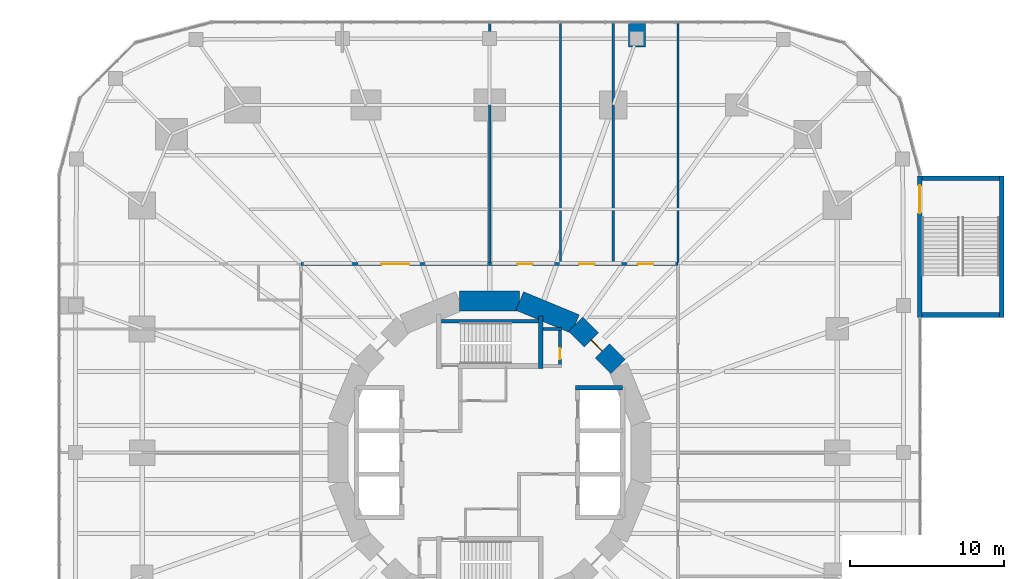
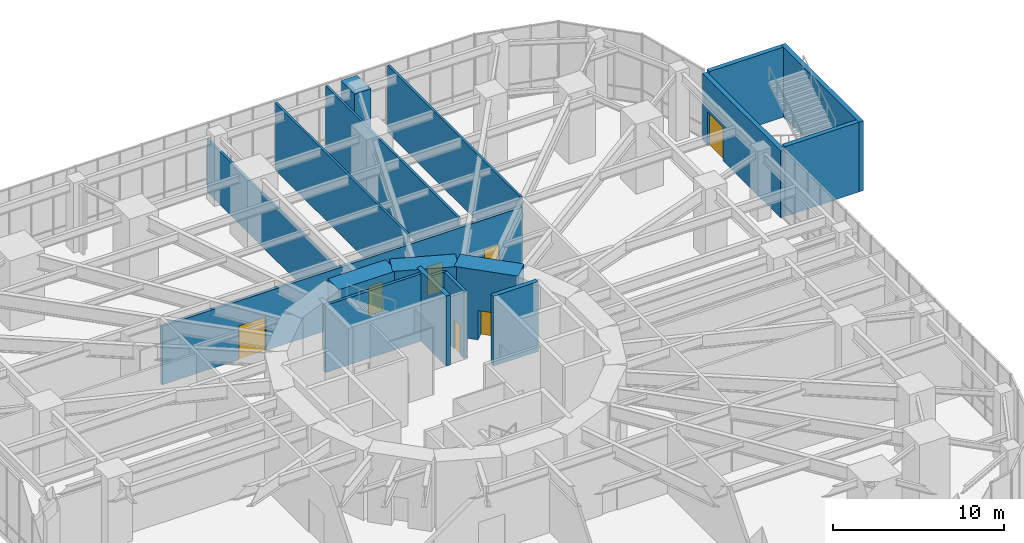
# One storey, part 22 of 24: 18 walls, 7 doors, 7 openings.
"""IFC4 building model written with IfcOpenShell, lengths in metres."""

from ifc_helpers import new_model, si_unit, direction, frame, frame_2d, origin, place, context, subcontext, project, spatial, rectangle, extrude, material, layer, layer_set, type_object, element, fill, save


model = new_model("IFC4")

# Units and contexts
model_context = context("Model", 3, precision=1e-05, world=origin(), true_north=direction((0.0, 1.0)))
body_context = subcontext(model_context, "Body", "Model", "MODEL_VIEW")
ifc_project = project(units=[si_unit("LENGTHUNIT", "METRE"), si_unit("AREAUNIT", "SQUARE_METRE"), si_unit("VOLUMEUNIT", "CUBIC_METRE"), si_unit("PLANEANGLEUNIT", "RADIAN"), si_unit("MASSUNIT", "GRAM", prefix="KILO")], contexts=[model_context])

# Site, building, storey
site_placement = place(None, origin())
site = spatial("IfcSite", under=ifc_project, at=site_placement, CompositionType="ELEMENT")
building_placement = place(site_placement, origin())
building = spatial("IfcBuilding", under=site, at=building_placement, Name="Nakasero Lantern House", CompositionType="ELEMENT")
storey_placement = place(building_placement, frame((0.0, 0.0, 6.0)))
storey = spatial("IfcBuildingStorey", under=building, at=storey_placement, Name="L01", CompositionType="ELEMENT", Elevation=6.0)

# Walls
ifc_material_1 = material(Name="Blockwork", Category="masonry")
ifc_layer_1 = layer(ifc_material_1, 1.10009765625)
ifc_layer_set_1 = layer_set([ifc_layer_1], Name="Column pier 1100")
wall_type_1 = type_object("IfcWallType", Name="Column pier 1100", PredefinedType="PARTITIONING", material=ifc_layer_set_1)
wall_1_placement = place(storey_placement, frame((9.52880859375, 26.25, 0.0), z_axis=(0.0, 0.0, 1.0), x_axis=(0.0, 1.0, 0.0)))
element("IfcWall", 1, at=wall_1_placement, inside=storey, type_object=wall_type_1, Name="Column pier L01 PN1-00-2", PredefinedType="PARTITIONING", context=body_context, shape_type="SweptSolid", body=[
    extrude(rectangle(XDim=1.60009765625, YDim=1.10009765625, at=frame_2d((0.800048828125, 0.0))), origin(), (0.0, 0.0, 1.0), 4.800048828125),
])
ifc_material_2 = material(Name="Concrete C50/60", Category="concrete")
ifc_layer_2 = layer(ifc_material_2, 0.300048828125)
ifc_layer_set_2 = layer_set([ifc_layer_2], Name="Core inner wall 300")
wall_type_2 = type_object("IfcWallType", Name="Core inner wall 300", PredefinedType="SHEAR", material=ifc_layer_set_2)
wall_2_placement = place(storey_placement, frame((5.550048828125, 4.199951171875, 0.0), z_axis=(0.0, 0.0, 1.0), x_axis=(1.0, 0.0, 0.0)))
element("IfcWall", 2, at=wall_2_placement, inside=storey, type_object=wall_type_2, Name="Core inner wall L01 LEN", PredefinedType="SHEAR", context=body_context, shape_type="SweptSolid", body=[
    extrude(rectangle(XDim=3.050048828125, YDim=0.300048828125, at=frame_2d((1.52490234375, 0.0))), origin(), (0.0, 0.0, 1.0), 5.0),
])
wall_3_placement = place(storey_placement, frame((3.300048828125, 5.449951171875, 0.0), z_axis=(0.0, 0.0, 1.0), x_axis=(0.0, 1.0, 0.0)))
element("IfcWall", 3, at=wall_3_placement, inside=storey, type_object=wall_type_2, Name="Core inner wall L01 SNE", PredefinedType="SHEAR", context=body_context, shape_type="SweptSolid", body=[
    extrude(rectangle(XDim=3.400146484375, YDim=0.300048828125, at=frame_2d((1.7001953125, 0.0))), origin(), (0.0, 0.0, 1.0), 5.0),
])

# Wall, opening, door
ifc_material_3 = material(Name="Concrete C50/60", Category="concrete")
ifc_layer_3 = layer(ifc_material_3, 1.300048828125)
ifc_layer_set_3 = layer_set([ifc_layer_3], Name="Core wall 1300")
wall_type_3 = type_object("IfcWallType", Name="Core wall 1300", PredefinedType="SHEAR", material=ifc_layer_set_3)
wall_4_placement = place(storey_placement, frame((8.314697265625, 5.5556640625, 0.0), z_axis=(0.0, 0.0, 1.0), x_axis=(-0.707106781187, 0.707106781187, 0.0)))
wall_4 = element("IfcWall", 4, at=wall_4_placement, inside=storey, type_object=wall_type_3, Name="Core wall L01 facet 2", PredefinedType="SHEAR", context=body_context, shape_type="SweptSolid", body=[
    extrude(rectangle(XDim=3.90185546875, YDim=1.300048828125, at=frame_2d((1.950927734375, 0.0))), origin(), (0.0, 0.0, 1.0), 5.0),
])
opening_1_placement = place(wall_4_placement, frame((1.450927734375, 0.0, 0.0)))
opening_1 = element("IfcOpeningElement", 5, at=opening_1_placement, cuts=wall_4, Name="Opening D05", PredefinedType="OPENING", context=body_context, shape_type="SweptSolid", body=[
    extrude(rectangle(XDim=1.0, YDim=2.10009765625, at=frame_2d((0.5, 1.050048828125))), frame((0.0, 0.669921875, 0.0), z_axis=(0.0, -1.0, 0.0), x_axis=(1.0, 0.0, 0.0)), (0.0, 0.0, 1.0), 1.340087890625),
])
ifc_material_4 = material(Name="Timber C24", Category="wood")
door_type_1 = type_object("IfcDoorType", Name="Core door FD60S 1000", OperationType="SINGLE_SWING_LEFT", PredefinedType="DOOR", material=ifc_material_4)
door_1_placement = place(opening_1_placement, origin())
door_1 = element("IfcDoor", 6, at=door_1_placement, inside=storey, type_object=door_type_1, Name="Door L01 D-CORE02", OperationType="SINGLE_SWING_LEFT", OverallHeight=2.10009765625, OverallWidth=1.0, PredefinedType="DOOR", context=body_context, shape_type="SweptSolid", body=[
    extrude(rectangle(XDim=1.0, YDim=2.10009765625, at=frame_2d((0.5, 1.050048828125))), frame((0.0, 0.02490234375, 0.0), z_axis=(0.0, -1.0, 0.0), x_axis=(1.0, 0.0, 0.0)), (0.0, 0.0, 1.0), 0.050048828125),
])
fill(opening_1, door_1)

# Walls
for number, where, z_axis, x_axis, name in (
    (7, (5.5556640625, 8.314697265625, 0.0), (0.0, 0.0, 1.0), (-0.923876507187, 0.382690736062, 0.0), "Core wall L01 facet 3"),
    (8, (1.950927734375, 9.807861328125, 0.0), (0.0, 0.0, 1.0), (-1.0, 0.0, 0.0), "Core wall L01 facet 4"),
):
    element("IfcWall", number, at=place(storey_placement, frame(where, z_axis=z_axis, x_axis=x_axis)), inside=storey, type_object=wall_type_3, Name=name, PredefinedType="SHEAR", context=body_context, shape_type="SweptSolid", body=[
        extrude(rectangle(XDim=3.90185546875, YDim=1.300048828125, at=frame_2d((1.950927734375, 0.0))), origin(), (0.0, 0.0, 1.0), 5.0),
    ])

# Wall, openings, doors
ifc_material_5 = material(Name="Blockwork", Category="masonry")
ifc_layer_4 = layer(ifc_material_5, 0.199951171875)
ifc_layer_set_4 = layer_set([ifc_layer_4], Name="Corridor wall 200")
wall_type_4 = type_object("IfcWallType", Name="Corridor wall 200", PredefinedType="PARTITIONING", material=ifc_layer_set_4)
wall_5_placement = place(storey_placement, frame((12.199951171875, 12.199951171875, 0.0), z_axis=(0.0, 0.0, 1.0), x_axis=(-1.0, 0.0, 0.0)))
wall_5 = element("IfcWall", 9, at=wall_5_placement, inside=storey, type_object=wall_type_4, Name="Corridor wall L01 CW1", PredefinedType="PARTITIONING", context=body_context, shape_type="SweptSolid", body=[
    extrude(rectangle(XDim=24.39990234375, YDim=0.199951171875, at=frame_2d((12.199951171875, 0.0))), origin(), (0.0, 0.0, 1.0), 4.187744140625),
])
opening_2_placement = place(wall_5_placement, frame((1.60009765625, 0.0, 0.0)))
opening_2 = element("IfcOpeningElement", 10, at=opening_2_placement, cuts=wall_5, Name="Opening D07", PredefinedType="OPENING", context=body_context, shape_type="SweptSolid", body=[
    extrude(rectangle(XDim=1.0, YDim=2.10009765625, at=frame_2d((0.5, 1.050048828125))), frame((0.0, 0.119873046875, 0.0), z_axis=(0.0, -1.0, 0.0), x_axis=(1.0, 0.0, 0.0)), (0.0, 0.0, 1.0), 0.239990234375),
])
opening_3_placement = place(wall_5_placement, frame((5.407958984375, 0.0, 0.0)))
opening_3 = element("IfcOpeningElement", 11, at=opening_3_placement, cuts=wall_5, Name="Opening D07", PredefinedType="OPENING", context=body_context, shape_type="SweptSolid", body=[
    extrude(rectangle(XDim=1.0, YDim=2.10009765625, at=frame_2d((0.5, 1.050048828125))), frame((0.0, 0.119873046875, 0.0), z_axis=(0.0, -1.0, 0.0), x_axis=(1.0, 0.0, 0.0)), (0.0, 0.0, 1.0), 0.239990234375),
])
opening_4_placement = place(wall_5_placement, frame((9.407958984375, 0.0, 0.0)))
opening_4 = element("IfcOpeningElement", 12, at=opening_4_placement, cuts=wall_5, Name="Opening D07", PredefinedType="OPENING", context=body_context, shape_type="SweptSolid", body=[
    extrude(rectangle(XDim=1.0, YDim=2.10009765625, at=frame_2d((0.5, 1.050048828125))), frame((0.0, 0.119873046875, 0.0), z_axis=(0.0, -1.0, 0.0), x_axis=(1.0, 0.0, 0.0)), (0.0, 0.0, 1.0), 0.239990234375),
])
opening_5_placement = place(wall_5_placement, frame((17.39990234375, 0.0, 0.0)))
opening_5 = element("IfcOpeningElement", 13, at=opening_5_placement, cuts=wall_5, Name="Opening D12", PredefinedType="OPENING", context=body_context, shape_type="SweptSolid", body=[
    extrude(rectangle(XDim=1.800048828125, YDim=2.39990234375, at=frame_2d((0.89990234375, 1.199951171875))), frame((0.0, 0.119873046875, 0.0), z_axis=(0.0, -1.0, 0.0), x_axis=(1.0, 0.0, 0.0)), (0.0, 0.0, 1.0), 0.239990234375),
])
ifc_material_6 = material(Name="Timber C24", Category="wood")
door_type_2 = type_object("IfcDoorType", Name="Room door FD30S 1000", OperationType="SINGLE_SWING_LEFT", PredefinedType="DOOR", material=ifc_material_6)
door_2_placement = place(opening_2_placement, origin())
door_2 = element("IfcDoor", 14, at=door_2_placement, inside=storey, type_object=door_type_2, Name="Door L01 D1-00", OperationType="SINGLE_SWING_LEFT", OverallHeight=2.10009765625, OverallWidth=1.0, PredefinedType="DOOR", context=body_context, shape_type="SweptSolid", body=[
    extrude(rectangle(XDim=1.0, YDim=2.10009765625, at=frame_2d((0.5, 1.050048828125))), frame((0.0, 0.02490234375, 0.0), z_axis=(0.0, -1.0, 0.0), x_axis=(1.0, 0.0, 0.0)), (0.0, 0.0, 1.0), 0.050048828125),
])
fill(opening_2, door_2)
door_3_placement = place(opening_3_placement, origin())
door_3 = element("IfcDoor", 15, at=door_3_placement, inside=storey, type_object=door_type_2, Name="Door L01 D1-01", OperationType="SINGLE_SWING_LEFT", OverallHeight=2.10009765625, OverallWidth=1.0, PredefinedType="DOOR", context=body_context, shape_type="SweptSolid", body=[
    extrude(rectangle(XDim=1.0, YDim=2.10009765625, at=frame_2d((0.5, 1.050048828125))), frame((0.0, 0.02490234375, 0.0), z_axis=(0.0, -1.0, 0.0), x_axis=(1.0, 0.0, 0.0)), (0.0, 0.0, 1.0), 0.050048828125),
])
fill(opening_3, door_3)
door_4_placement = place(opening_4_placement, origin())
door_4 = element("IfcDoor", 16, at=door_4_placement, inside=storey, type_object=door_type_2, Name="Door L01 D1-02", OperationType="SINGLE_SWING_LEFT", OverallHeight=2.10009765625, OverallWidth=1.0, PredefinedType="DOOR", context=body_context, shape_type="SweptSolid", body=[
    extrude(rectangle(XDim=1.0, YDim=2.10009765625, at=frame_2d((0.5, 1.050048828125))), frame((0.0, 0.02490234375, 0.0), z_axis=(0.0, -1.0, 0.0), x_axis=(1.0, 0.0, 0.0)), (0.0, 0.0, 1.0), 0.050048828125),
])
fill(opening_4, door_4)
ifc_material_7 = material(Name="Timber C24", Category="wood")
door_type_3 = type_object("IfcDoorType", Name="Room doors FD30S 1800", OperationType="DOUBLE_DOOR_SINGLE_SWING", PredefinedType="DOOR", material=ifc_material_7)
door_5_placement = place(opening_5_placement, origin())
door_5 = element("IfcDoor", 17, at=door_5_placement, inside=storey, type_object=door_type_3, Name="Door L01 D1-03", OperationType="DOUBLE_DOOR_SINGLE_SWING", OverallHeight=2.39990234375, OverallWidth=1.800048828125, PredefinedType="DOOR", context=body_context, shape_type="SweptSolid", body=[
    extrude(rectangle(XDim=1.800048828125, YDim=2.39990234375, at=frame_2d((0.89990234375, 1.199951171875))), frame((0.0, 0.02490234375, 0.0), z_axis=(0.0, -1.0, 0.0), x_axis=(1.0, 0.0, 0.0)), (0.0, 0.0, 1.0), 0.050048828125),
])
fill(opening_5, door_5)

# Wall, opening, door
ifc_material_8 = material(Name="Blockwork", Category="masonry")
ifc_layer_5 = layer(ifc_material_8, 0.199951171875)
ifc_layer_set_5 = layer_set([ifc_layer_5], Name="Fire lobby wall 200")
wall_type_5 = type_object("IfcWallType", Name="Fire lobby wall 200", PredefinedType="PARTITIONING", material=ifc_layer_set_5)
wall_6_placement = place(storey_placement, frame((4.550048828125, 5.60009765625, 0.0), z_axis=(0.0, 0.0, 1.0), x_axis=(0.0, 1.0, 0.0)))
wall_6 = element("IfcWall", 18, at=wall_6_placement, inside=storey, type_object=wall_type_5, Name="Fire lobby wall L01 W-RS1E", PredefinedType="PARTITIONING", context=body_context, shape_type="SweptSolid", body=[
    extrude(rectangle(XDim=2.39990234375, YDim=0.199951171875, at=frame_2d((1.199951171875, 0.0))), origin(), (0.0, 0.0, 1.0), 4.800048828125),
])
opening_6_placement = place(wall_6_placement, frame((0.449951171875, 0.0, 0.0)))
opening_6 = element("IfcOpeningElement", 19, at=opening_6_placement, cuts=wall_6, Name="Opening D06", PredefinedType="OPENING", context=body_context, shape_type="SweptSolid", body=[
    extrude(rectangle(XDim=0.699951171875, YDim=2.10009765625, at=frame_2d((0.35009765625, 1.050048828125))), frame((0.0, 0.119873046875, 0.0), z_axis=(0.0, -1.0, 0.0), x_axis=(1.0, 0.0, 0.0)), (0.0, 0.0, 1.0), 0.239990234375),
])
ifc_material_9 = material(Name="Steel S355", Category="steel")
door_type_4 = type_object("IfcDoorType", Name="Riser door FD60 700", OperationType="SINGLE_SWING_LEFT", PredefinedType="DOOR", material=ifc_material_9)
door_6_placement = place(opening_6_placement, origin())
door_6 = element("IfcDoor", 20, at=door_6_placement, inside=storey, type_object=door_type_4, Name="Door L01 D-RS1", OperationType="SINGLE_SWING_LEFT", OverallHeight=2.10009765625, OverallWidth=0.699951171875, PredefinedType="DOOR", context=body_context, shape_type="SweptSolid", body=[
    extrude(rectangle(XDim=0.699951171875, YDim=2.10009765625, at=frame_2d((0.35009765625, 1.050048828125))), frame((0.0, 0.02490234375, 0.0), z_axis=(0.0, -1.0, 0.0), x_axis=(1.0, 0.0, 0.0)), (0.0, 0.0, 1.0), 0.050048828125),
])
fill(opening_6, door_6)

# Walls
wall_7_placement = place(storey_placement, frame((3.449951171875, 8.0, 0.0), z_axis=(0.0, 0.0, 1.0), x_axis=(1.0, 0.0, 0.0)))
element("IfcWall", 21, at=wall_7_placement, inside=storey, type_object=wall_type_5, Name="Fire lobby wall L01 W-RS1N", PredefinedType="PARTITIONING", context=body_context, shape_type="SweptSolid", body=[
    extrude(rectangle(XDim=1.199951171875, YDim=0.199951171875, at=frame_2d((0.60009765625, 0.0))), origin(), (0.0, 0.0, 1.0), 4.800048828125),
])
wall_8_placement = place(storey_placement, frame((-3.300048828125, 8.5, 0.0), z_axis=(0.0, 0.0, 1.0), x_axis=(1.0, 0.0, 0.0)))
element("IfcWall", 22, at=wall_8_placement, inside=storey, type_object=wall_type_5, Name="Fire lobby wall L01 W-STN", PredefinedType="PARTITIONING", context=body_context, shape_type="SweptSolid", body=[
    extrude(rectangle(XDim=6.60009765625, YDim=0.199951171875, at=frame_2d((3.300048828125, 0.0))), origin(), (0.0, 0.0, 1.0), 4.800048828125),
])
ifc_material_10 = material(Name="Blockwork", Category="masonry")
ifc_layer_6 = layer(ifc_material_10, 0.14990234375)
ifc_layer_set_6 = layer_set([ifc_layer_6], Name="Party wall 150")
wall_type_6 = type_object("IfcWallType", Name="Party wall 150", PredefinedType="PARTITIONING", material=ifc_layer_set_6)
for number, where, z_axis, x_axis, name in (
    (23, (12.199951171875, 12.300048828125, 0.0), (0.0, 0.0, 1.0), (0.0, 1.0, 0.0), "Party wall L01 PW1-00"),
    (24, (8.0, 12.300048828125, 0.0), (0.0, 0.0, 1.0), (0.0, 1.0, 0.0), "Party wall L01 PW1-01"),
    (25, (4.583984375, 12.300048828125, 0.0), (0.0, 0.0, 1.0), (0.0, 1.0, 0.0), "Party wall L01 PW1-02"),
):
    element("IfcWall", number, at=place(storey_placement, frame(where, z_axis=z_axis, x_axis=x_axis)), inside=storey, type_object=wall_type_6, Name=name, PredefinedType="PARTITIONING", context=body_context, shape_type="SweptSolid", body=[
        extrude(rectangle(XDim=15.550048828125, YDim=0.14990234375, at=frame_2d((7.77490234375, 0.0))), origin(), (0.0, 0.0, 1.0), 4.800048828125),
    ])
wall_9_placement = place(storey_placement, frame((0.0, 12.300048828125, 0.0), z_axis=(0.0, 0.0, 1.0), x_axis=(0.0, 1.0, 0.0)))
element("IfcWall", 26, at=wall_9_placement, inside=storey, type_object=wall_type_6, Name="Party wall L01 PW1-03", PredefinedType="PARTITIONING", context=body_context, shape_type="SweptSolid", body=[
    extrude(rectangle(XDim=15.550048828125, YDim=0.14990234375, at=frame_2d((7.77490234375, 0.0))), origin(), (0.0, 0.0, 1.0), 3.800048828125),
])

# Wall, opening, door
ifc_material_11 = material(Name="Concrete C32/40", Category="concrete")
ifc_layer_7 = layer(ifc_material_11, 0.300048828125)
ifc_layer_set_7 = layer_set([ifc_layer_7], Name="Stair enclosure wall 300")
wall_type_7 = type_object("IfcWallType", Name="Stair enclosure wall 300", PredefinedType="SOLIDWALL", material=ifc_layer_set_7)
wall_10_placement = place(storey_placement, frame((27.85009765625, 8.75, 0.0), z_axis=(0.0, 0.0, 1.0), x_axis=(0.0, 1.0, 0.0)))
wall_10 = element("IfcWall", 27, at=wall_10_placement, inside=storey, type_object=wall_type_7, Name="Stair enclosure wall PS1 L01", PredefinedType="SOLIDWALL", context=body_context, shape_type="SweptSolid", body=[
    extrude(rectangle(XDim=9.14990234375, YDim=0.300048828125, at=frame_2d((4.574951171875, 0.0))), origin(), (0.0, 0.0, 1.0), 4.800048828125),
])
opening_7_placement = place(wall_10_placement, frame((6.75, 0.0, 0.0)))
opening_7 = element("IfcOpeningElement", 28, at=opening_7_placement, cuts=wall_10, Name="Opening DS1", PredefinedType="OPENING", context=body_context, shape_type="SweptSolid", body=[
    extrude(rectangle(XDim=1.800048828125, YDim=2.39990234375, at=frame_2d((0.89990234375, 1.199951171875))), frame((0.0, 0.169921875, 0.0), z_axis=(0.0, -1.0, 0.0), x_axis=(1.0, 0.0, 0.0)), (0.0, 0.0, 1.0), 0.340087890625),
])
ifc_material_12 = material(Name="Steel S355", Category="steel")
door_type_5 = type_object("IfcDoorType", Name="Stair doors FD60S 1800", OperationType="DOUBLE_DOOR_SINGLE_SWING", PredefinedType="DOOR", material=ifc_material_12)
door_7_placement = place(opening_7_placement, origin())
door_7 = element("IfcDoor", 29, at=door_7_placement, inside=storey, type_object=door_type_5, Name="Stair doors PS1 L01", OperationType="DOUBLE_DOOR_SINGLE_SWING", OverallHeight=2.39990234375, OverallWidth=1.800048828125, PredefinedType="DOOR", context=body_context, shape_type="SweptSolid", body=[
    extrude(rectangle(XDim=1.800048828125, YDim=2.39990234375, at=frame_2d((0.89990234375, 1.199951171875))), frame((0.0, 0.02490234375, 0.0), z_axis=(0.0, -1.0, 0.0), x_axis=(1.0, 0.0, 0.0)), (0.0, 0.0, 1.0), 0.050048828125),
])
fill(opening_7, door_7)

# Walls
ifc_material_13 = material(Name="Concrete C32/40", Category="concrete")
ifc_layer_8 = layer(ifc_material_13, 0.300048828125)
ifc_layer_set_8 = layer_set([ifc_layer_8], Name="Stair tower wall 300")
wall_type_8 = type_object("IfcWallType", Name="Stair tower wall 300", PredefinedType="SOLIDWALL", material=ifc_layer_set_8)
wall_11_placement = place(storey_placement, frame((33.14990234375, 8.75, 0.0), z_axis=(0.0, 0.0, 1.0), x_axis=(0.0, 1.0, 0.0)))
element("IfcWall", 30, at=wall_11_placement, inside=storey, type_object=wall_type_8, Name="Escape stair tower wall PS1 L01 O", PredefinedType="SOLIDWALL", context=body_context, shape_type="SweptSolid", body=[
    extrude(rectangle(XDim=9.14990234375, YDim=0.300048828125, at=frame_2d((4.574951171875, 0.0))), origin(), (0.0, 0.0, 1.0), 5.0),
])
for number, where, z_axis, x_axis, name in (
    (31, (28.0, 8.89990234375, 0.0), (0.0, 0.0, 1.0), (1.0, 0.0, 0.0), "Escape stair tower wall PS1 L01 S"),
    (32, (28.0, 17.75, 0.0), (0.0, 0.0, 1.0), (1.0, 0.0, 0.0), "Escape stair tower wall PS1 L01 N"),
):
    element("IfcWall", number, at=place(storey_placement, frame(where, z_axis=z_axis, x_axis=x_axis)), inside=storey, type_object=wall_type_8, Name=name, PredefinedType="SOLIDWALL", context=body_context, shape_type="SweptSolid", body=[
        extrude(rectangle(XDim=5.0, YDim=0.300048828125, at=frame_2d((2.5, 0.0))), origin(), (0.0, 0.0, 1.0), 5.0),
    ])

save(model, "model.ifc")
